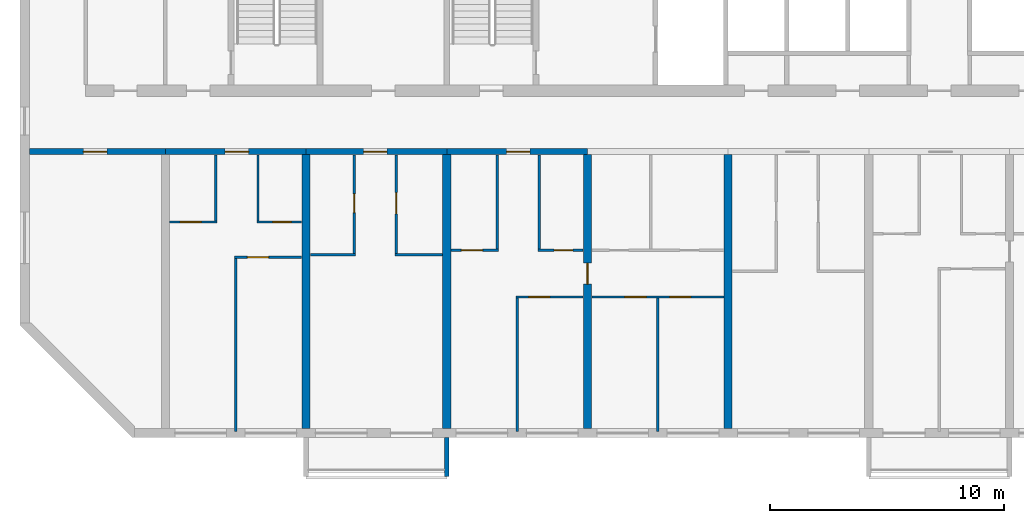
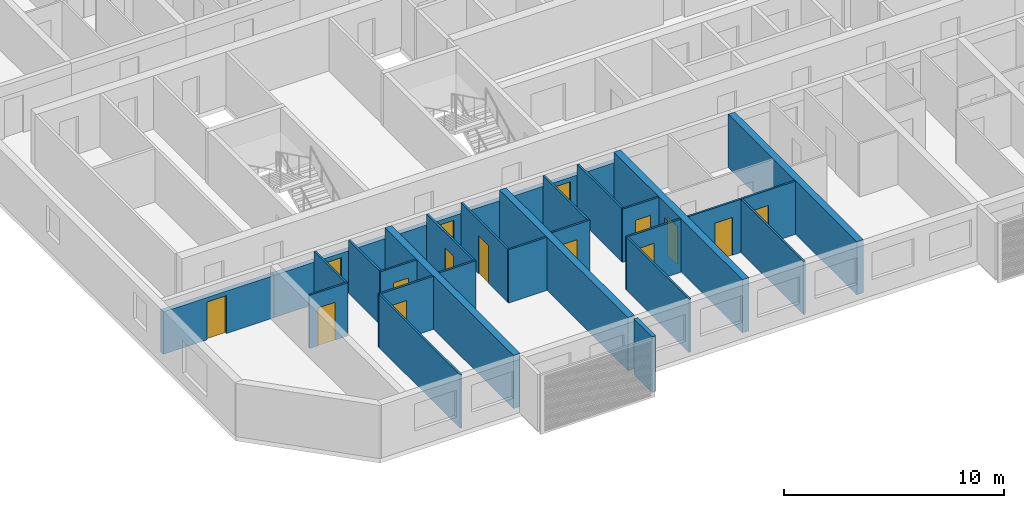
# One storey, part 2 of 24: 27 walls, 15 doors, 15 openings.
"""IFC4 building model written with IfcOpenShell, lengths in metres."""

from ifc_helpers import new_model, si_unit, direction, frame, frame_2d, origin, place, context, subcontext, project, spatial, polyline, rectangle, outline, extrude, source, transform, mapped, material, layer, layer_set, type_object, element, fill, save


model = new_model("IFC4")

# Units and contexts
model_context = context("Model", 3, precision=1e-05, world=origin(), true_north=direction((0.0, 1.0)))
body_context = subcontext(model_context, "Body", "Model", "MODEL_VIEW")
ifc_project = project(units=[si_unit("LENGTHUNIT", "METRE"), si_unit("AREAUNIT", "SQUARE_METRE"), si_unit("VOLUMEUNIT", "CUBIC_METRE"), si_unit("PLANEANGLEUNIT", "RADIAN"), si_unit("MASSUNIT", "GRAM", prefix="KILO")], contexts=[model_context])

# Site, building, storey
site_placement = place(None, origin())
site = spatial("IfcSite", under=ifc_project, at=site_placement, CompositionType="ELEMENT")
building_placement = place(site_placement, origin())
building = spatial("IfcBuilding", under=site, at=building_placement, Name="Poui Terraces", CompositionType="ELEMENT")
storey_placement = place(building_placement, frame((0.0, 0.0, 112.5)))
storey = spatial("IfcBuildingStorey", under=building, at=storey_placement, Name="L31", CompositionType="ELEMENT", Elevation=112.5)

# Wall, opening, door
ifc_material_1 = material(Name="Concrete 65 MPa", Category="concrete")
ifc_layer_1 = layer(ifc_material_1, 0.25)
ifc_layer_set_1 = layer_set([ifc_layer_1], Name="Concrete 65 MPa")
wall_type_1 = type_object("IfcWallType", Name="CORRIDOR WALL 250 65MPa", PredefinedType="SHEAR", material=ifc_layer_set_1)
wall_1_placement = place(storey_placement, frame((12.199951171875, 12.0, 0.0), z_axis=(0.0, 0.0, 1.0), x_axis=(1.0, 0.0, 0.0)))
wall_1 = element("IfcWall", 1, at=wall_1_placement, inside=storey, type_object=wall_type_1, Name="CORRIDOR WALL LINE B BAY 1", PredefinedType="SHEAR", context=body_context, shape_type="SweptSolid", body=[
    extrude(rectangle(XDim=5.800048828125, YDim=0.25, at=frame_2d((2.89990234375, 0.0))), origin(), (0.0, 0.0, 1.0), 2.35009765625),
])
opening_1_placement = place(wall_1_placement, frame((2.300048828125, 0.0, 0.0)))
opening_1 = element("IfcOpeningElement", 2, at=opening_1_placement, cuts=wall_1, Name="Opening D100", PredefinedType="OPENING", context=body_context, shape_type="SweptSolid", body=[
    extrude(rectangle(XDim=1.0, YDim=2.10009765625, at=frame_2d((0.5, 1.050048828125))), frame((0.0, 0.135009765625, 0.0), z_axis=(0.0, -1.0, 0.0), x_axis=(1.0, 0.0, 0.0)), (0.0, 0.0, 1.0), 0.27001953125),
])
ifc_material_2 = material(Name="Solid core timber door", Category="wood")
door_type_1 = type_object("IfcDoorType", Name="ACCESSIBLE INTERNAL DOOR 1000 X 2100", OperationType="NOTDEFINED", PredefinedType="DOOR", material=ifc_material_2)
door_1_placement = place(opening_1_placement, frame((1.0, 0.0, 0.0), z_axis=(0.0, 0.0, 1.0), x_axis=(-1.0, 0.0, 0.0)))
door_1 = element("IfcDoor", 3, at=door_1_placement, inside=storey, type_object=door_type_1, Name="ACCESSIBLE INTERNAL DOOR 075", OperationType="SINGLE_SWING_RIGHT", OverallHeight=2.10009765625, OverallWidth=1.0, PredefinedType="DOOR", context=body_context, shape_type="SweptSolid", body=[
    extrude(rectangle(XDim=1.0, YDim=2.10009765625, at=frame_2d((0.5, 1.050048828125))), frame((0.0, 0.02490234375, 0.0), z_axis=(0.0, -1.0, 0.0), x_axis=(1.0, 0.0, 0.0)), (0.0, 0.0, 1.0), 0.050048828125),
])
fill(opening_1, door_1)

wall_2_placement = place(storey_placement, frame((18.0, 12.0, 0.0), z_axis=(0.0, 0.0, 1.0), x_axis=(1.0, 0.0, 0.0)))
wall_2 = element("IfcWall", 4, at=wall_2_placement, inside=storey, type_object=wall_type_1, Name="CORRIDOR WALL LINE B BAY 2", PredefinedType="SHEAR", context=body_context, shape_type="SweptSolid", body=[
    extrude(rectangle(XDim=6.0, YDim=0.25, at=frame_2d((3.0, 0.0))), origin(), (0.0, 0.0, 1.0), 2.35009765625),
])
opening_2_placement = place(wall_2_placement, frame((2.550048828125, 0.0, 0.0)))
opening_2 = element("IfcOpeningElement", 5, at=opening_2_placement, cuts=wall_2, Name="Opening FD30S", PredefinedType="OPENING", context=body_context, shape_type="SweptSolid", body=[
    extrude(rectangle(XDim=1.0, YDim=2.10009765625, at=frame_2d((0.5, 1.050048828125))), frame((0.0, 0.135009765625, 0.0), z_axis=(0.0, -1.0, 0.0), x_axis=(1.0, 0.0, 0.0)), (0.0, 0.0, 1.0), 0.27001953125),
])
ifc_material_3 = material(Name="Steel fire door", Category="steel")
door_type_2 = type_object("IfcDoorType", Name="FLAT ENTRANCE DOOR 1000 X 2100", OperationType="NOTDEFINED", PredefinedType="DOOR", material=ifc_material_3)
door_2_placement = place(opening_2_placement, frame((1.0, 0.0, 0.0), z_axis=(0.0, 0.0, 1.0), x_axis=(-1.0, 0.0, 0.0)))
door_2 = element("IfcDoor", 6, at=door_2_placement, inside=storey, type_object=door_type_2, Name="FLAT ENTRANCE DOOR 077", OperationType="SINGLE_SWING_LEFT", OverallHeight=2.10009765625, OverallWidth=1.0, PredefinedType="DOOR", context=body_context, shape_type="SweptSolid", body=[
    extrude(rectangle(XDim=1.0, YDim=2.10009765625, at=frame_2d((0.5, 1.050048828125))), frame((0.0, 0.02490234375, 0.0), z_axis=(0.0, -1.0, 0.0), x_axis=(1.0, 0.0, 0.0)), (0.0, 0.0, 1.0), 0.050048828125),
])
fill(opening_2, door_2)

wall_3_placement = place(storey_placement, frame((24.0, 12.0, 0.0), z_axis=(0.0, 0.0, 1.0), x_axis=(1.0, 0.0, 0.0)))
wall_3 = element("IfcWall", 7, at=wall_3_placement, inside=storey, type_object=wall_type_1, Name="CORRIDOR WALL LINE B BAY 3", PredefinedType="SHEAR", context=body_context, shape_type="SweptSolid", body=[
    extrude(rectangle(XDim=6.0, YDim=0.25, at=frame_2d((3.0, 0.0))), origin(), (0.0, 0.0, 1.0), 2.35009765625),
])
opening_3_placement = place(wall_3_placement, frame((2.449951171875, 0.0, 0.0)))
opening_3 = element("IfcOpeningElement", 8, at=opening_3_placement, cuts=wall_3, Name="Opening FD30S", PredefinedType="OPENING", context=body_context, shape_type="SweptSolid", body=[
    extrude(rectangle(XDim=1.0, YDim=2.10009765625, at=frame_2d((0.5, 1.050048828125))), frame((0.0, 0.135009765625, 0.0), z_axis=(0.0, -1.0, 0.0), x_axis=(1.0, 0.0, 0.0)), (0.0, 0.0, 1.0), 0.27001953125),
])
door_3_placement = place(opening_3_placement, frame((1.0, 0.0, 0.0), z_axis=(0.0, 0.0, 1.0), x_axis=(-1.0, 0.0, 0.0)))
door_3 = element("IfcDoor", 9, at=door_3_placement, inside=storey, type_object=door_type_2, Name="FLAT ENTRANCE DOOR 081", OperationType="SINGLE_SWING_RIGHT", OverallHeight=2.10009765625, OverallWidth=1.0, PredefinedType="DOOR", context=body_context, shape_type="SweptSolid", body=[
    extrude(rectangle(XDim=1.0, YDim=2.10009765625, at=frame_2d((0.5, 1.050048828125))), frame((0.0, 0.02490234375, 0.0), z_axis=(0.0, -1.0, 0.0), x_axis=(1.0, 0.0, 0.0)), (0.0, 0.0, 1.0), 0.050048828125),
])
fill(opening_3, door_3)

wall_4_placement = place(storey_placement, frame((30.0, 12.0, 0.0), z_axis=(0.0, 0.0, 1.0), x_axis=(1.0, 0.0, 0.0)))
wall_4 = element("IfcWall", 10, at=wall_4_placement, inside=storey, type_object=wall_type_1, Name="CORRIDOR WALL LINE B BAY 4", PredefinedType="SHEAR", context=body_context, shape_type="SweptSolid", body=[
    extrude(rectangle(XDim=6.0, YDim=0.25, at=frame_2d((3.0, 0.0))), origin(), (0.0, 0.0, 1.0), 2.35009765625),
])
opening_4_placement = place(wall_4_placement, frame((2.550048828125, 0.0, 0.0)))
opening_4 = element("IfcOpeningElement", 11, at=opening_4_placement, cuts=wall_4, Name="Opening FD30S", PredefinedType="OPENING", context=body_context, shape_type="SweptSolid", body=[
    extrude(rectangle(XDim=1.0, YDim=2.10009765625, at=frame_2d((0.5, 1.050048828125))), frame((0.0, 0.135009765625, 0.0), z_axis=(0.0, -1.0, 0.0), x_axis=(1.0, 0.0, 0.0)), (0.0, 0.0, 1.0), 0.27001953125),
])
door_4_placement = place(opening_4_placement, frame((1.0, 0.0, 0.0), z_axis=(0.0, 0.0, 1.0), x_axis=(-1.0, 0.0, 0.0)))
door_4 = element("IfcDoor", 12, at=door_4_placement, inside=storey, type_object=door_type_2, Name="FLAT ENTRANCE DOOR 088", OperationType="SINGLE_SWING_LEFT", OverallHeight=2.10009765625, OverallWidth=1.0, PredefinedType="DOOR", context=body_context, shape_type="SweptSolid", body=[
    extrude(rectangle(XDim=1.0, YDim=2.10009765625, at=frame_2d((0.5, 1.050048828125))), frame((0.0, 0.02490234375, 0.0), z_axis=(0.0, -1.0, 0.0), x_axis=(1.0, 0.0, 0.0)), (0.0, 0.0, 1.0), 0.050048828125),
])
fill(opening_4, door_4)

# Walls
ifc_layer_2 = layer(ifc_material_1, 0.35009765625)
ifc_layer_set_2 = layer_set([ifc_layer_2], Name="Concrete 65 MPa")
wall_type_2 = type_object("IfcWallType", Name="CROSS WALL 350 65MPa", PredefinedType="SHEAR", material=ifc_layer_set_2)
for number, where, z_axis, x_axis, name in (
    (13, (24.0, 0.199951171875, 0.0), (0.0, 0.0, 1.0), (0.0, 1.0, 0.0), "CROSS WALL LINE 5 SOUTH"),
    (14, (30.0, 0.199951171875, 0.0), (0.0, 0.0, 1.0), (0.0, 1.0, 0.0), "CROSS WALL LINE 6 SOUTH"),
):
    element("IfcWall", number, at=place(storey_placement, frame(where, z_axis=z_axis, x_axis=x_axis)), inside=storey, type_object=wall_type_2, Name=name, PredefinedType="SHEAR", context=body_context, shape_type="SweptSolid", body=[
        extrude(rectangle(XDim=11.675048828125, YDim=0.35009765625, at=frame_2d((5.83740234375, 0.0))), origin(), (0.0, 0.0, 1.0), 2.949951171875),
    ])

# Wall, opening, door
wall_5_placement = place(storey_placement, frame((36.0, 0.199951171875, 0.0), z_axis=(0.0, 0.0, 1.0), x_axis=(0.0, 1.0, 0.0)))
wall_5 = element("IfcWall", 15, at=wall_5_placement, inside=storey, type_object=wall_type_2, Name="CROSS WALL LINE 7 SOUTH", PredefinedType="SHEAR", context=body_context, shape_type="SweptSolid", body=[
    extrude(rectangle(XDim=11.675048828125, YDim=0.35009765625, at=frame_2d((5.83740234375, 0.0))), origin(), (0.0, 0.0, 1.0), 2.949951171875),
])
opening_5_placement = place(wall_5_placement, frame((6.14990234375, 0.0, 0.0)))
opening_5 = element("IfcOpeningElement", 16, at=opening_5_placement, cuts=wall_5, Name="Opening D90", PredefinedType="OPENING", context=body_context, shape_type="SweptSolid", body=[
    extrude(rectangle(XDim=0.89990234375, YDim=2.10009765625, at=frame_2d((0.449951171875, 1.050048828125))), frame((0.0, 0.18505859375, 0.0), z_axis=(0.0, -1.0, 0.0), x_axis=(1.0, 0.0, 0.0)), (0.0, 0.0, 1.0), 0.3701171875),
])
door_type_3 = type_object("IfcDoorType", Name="INTERNAL DOOR 900 X 2100", OperationType="NOTDEFINED", PredefinedType="DOOR", material=ifc_material_2)
door_5_placement = place(opening_5_placement, origin())
door_5 = element("IfcDoor", 17, at=door_5_placement, inside=storey, type_object=door_type_3, Name="INTERNAL DOOR 091", OperationType="SINGLE_SWING_RIGHT", OverallHeight=2.10009765625, OverallWidth=0.89990234375, PredefinedType="DOOR", context=body_context, shape_type="SweptSolid", body=[
    extrude(rectangle(XDim=0.89990234375, YDim=2.10009765625, at=frame_2d((0.449951171875, 1.050048828125))), frame((0.0, 0.02490234375, 0.0), z_axis=(0.0, -1.0, 0.0), x_axis=(1.0, 0.0, 0.0)), (0.0, 0.0, 1.0), 0.050048828125),
])
fill(opening_5, door_5)

# Wall
wall_6_placement = place(storey_placement, frame((42.0, 0.199951171875, 0.0), z_axis=(0.0, 0.0, 1.0), x_axis=(0.0, 1.0, 0.0)))
element("IfcWall", 18, at=wall_6_placement, inside=storey, type_object=wall_type_2, Name="CROSS WALL LINE 8 SOUTH", PredefinedType="SHEAR", context=body_context, shape_type="SweptSolid", body=[
    extrude(rectangle(XDim=11.675048828125, YDim=0.35009765625, at=frame_2d((5.83740234375, 0.0))), origin(), (0.0, 0.0, 1.0), 2.949951171875),
])

# Wall, opening, door
ifc_material_4 = material(Name="Plasterboard partition")
ifc_layer_3 = layer(ifc_material_4, 0.10009765625)
ifc_layer_set_3 = layer_set([ifc_layer_3], Name="Plasterboard partition")
wall_type_3 = type_object("IfcWallType", Name="FLAT PARTITION 100", PredefinedType="PARTITIONING", material=ifc_layer_set_3)
wall_7_placement = place(storey_placement, frame((32.949951171875, 5.800048828125, 0.0), z_axis=(0.0, 0.0, 1.0), x_axis=(1.0, 0.0, 0.0)))
wall_7 = element("IfcWall", 19, at=wall_7_placement, inside=storey, type_object=wall_type_3, Name="FLAT PARTITION 100", PredefinedType="PARTITIONING", context=body_context, shape_type="SweptSolid", body=[
    extrude(rectangle(XDim=2.864990234375, YDim=0.10009765625, at=frame_2d((1.4326171875, 0.0))), origin(), (0.0, 0.0, 1.0), 2.949951171875),
])
opening_6_placement = place(wall_7_placement, frame((0.550048828125, 0.0, 0.0)))
opening_6 = element("IfcOpeningElement", 20, at=opening_6_placement, cuts=wall_7, Name="Opening D90", PredefinedType="OPENING", context=body_context, shape_type="SweptSolid", body=[
    extrude(rectangle(XDim=0.89990234375, YDim=2.10009765625, at=frame_2d((0.449951171875, 1.050048828125))), frame((0.0, 0.06005859375, 0.0), z_axis=(0.0, -1.0, 0.0), x_axis=(1.0, 0.0, 0.0)), (0.0, 0.0, 1.0), 0.1201171875),
])
door_6_placement = place(opening_6_placement, origin())
door_6 = element("IfcDoor", 21, at=door_6_placement, inside=storey, type_object=door_type_3, Name="INTERNAL DOOR 089", OperationType="SINGLE_SWING_RIGHT", OverallHeight=2.10009765625, OverallWidth=0.89990234375, PredefinedType="DOOR", context=body_context, shape_type="SweptSolid", body=[
    extrude(rectangle(XDim=0.89990234375, YDim=2.10009765625, at=frame_2d((0.449951171875, 1.050048828125))), frame((0.0, 0.02490234375, 0.0), z_axis=(0.0, -1.0, 0.0), x_axis=(1.0, 0.0, 0.0)), (0.0, 0.0, 1.0), 0.050048828125),
])
fill(opening_6, door_6)

# Wall, openings, doors
wall_8_placement = place(storey_placement, frame((36.18505859375, 5.800048828125, 0.0), z_axis=(0.0, 0.0, 1.0), x_axis=(1.0, 0.0, 0.0)))
wall_8 = element("IfcWall", 22, at=wall_8_placement, inside=storey, type_object=wall_type_3, Name="FLAT PARTITION 100", PredefinedType="PARTITIONING", context=body_context, shape_type="SweptSolid", body=[
    extrude(rectangle(XDim=5.6298828125, YDim=0.10009765625, at=frame_2d((2.81494140625, 0.0))), origin(), (0.0, 0.0, 1.0), 2.949951171875),
])
opening_7_placement = place(wall_8_placement, frame((1.4150390625, 0.0, 0.0)))
opening_7 = element("IfcOpeningElement", 23, at=opening_7_placement, cuts=wall_8, Name="Opening D90", PredefinedType="OPENING", context=body_context, shape_type="SweptSolid", body=[
    extrude(rectangle(XDim=0.89990234375, YDim=2.10009765625, at=frame_2d((0.449951171875, 1.050048828125))), frame((0.0, 0.06005859375, 0.0), z_axis=(0.0, -1.0, 0.0), x_axis=(1.0, 0.0, 0.0)), (0.0, 0.0, 1.0), 0.1201171875),
])
opening_8_placement = place(wall_8_placement, frame((3.31494140625, 0.0, 0.0)))
opening_8 = element("IfcOpeningElement", 24, at=opening_8_placement, cuts=wall_8, Name="Opening D90", PredefinedType="OPENING", context=body_context, shape_type="SweptSolid", body=[
    extrude(rectangle(XDim=0.89990234375, YDim=2.10009765625, at=frame_2d((0.449951171875, 1.050048828125))), frame((0.0, 0.06005859375, 0.0), z_axis=(0.0, -1.0, 0.0), x_axis=(1.0, 0.0, 0.0)), (0.0, 0.0, 1.0), 0.1201171875),
])
door_7_placement = place(opening_7_placement, frame((0.89990234375, 0.0, 0.0), z_axis=(0.0, 0.0, 1.0), x_axis=(-1.0, 0.0, 0.0)))
door_7 = element("IfcDoor", 25, at=door_7_placement, inside=storey, type_object=door_type_3, Name="INTERNAL DOOR 084", OperationType="SINGLE_SWING_LEFT", OverallHeight=2.10009765625, OverallWidth=0.89990234375, PredefinedType="DOOR", context=body_context, shape_type="SweptSolid", body=[
    extrude(rectangle(XDim=0.89990234375, YDim=2.10009765625, at=frame_2d((0.449951171875, 1.050048828125))), frame((0.0, 0.02490234375, 0.0), z_axis=(0.0, -1.0, 0.0), x_axis=(1.0, 0.0, 0.0)), (0.0, 0.0, 1.0), 0.050048828125),
])
fill(opening_7, door_7)
door_8_placement = place(opening_8_placement, frame((0.89990234375, 0.0, 0.0), z_axis=(0.0, 0.0, 1.0), x_axis=(-1.0, 0.0, 0.0)))
door_8 = element("IfcDoor", 26, at=door_8_placement, inside=storey, type_object=door_type_3, Name="INTERNAL DOOR 085", OperationType="SINGLE_SWING_RIGHT", OverallHeight=2.10009765625, OverallWidth=0.89990234375, PredefinedType="DOOR", context=body_context, shape_type="SweptSolid", body=[
    extrude(rectangle(XDim=0.89990234375, YDim=2.10009765625, at=frame_2d((0.449951171875, 1.050048828125))), frame((0.0, 0.02490234375, 0.0), z_axis=(0.0, -1.0, 0.0), x_axis=(1.0, 0.0, 0.0)), (0.0, 0.0, 1.0), 0.050048828125),
])
fill(opening_8, door_8)

# Wall, opening, door
wall_9_placement = place(storey_placement, frame((20.949951171875, 7.5, 0.0), z_axis=(0.0, 0.0, 1.0), x_axis=(1.0, 0.0, 0.0)))
wall_9 = element("IfcWall", 27, at=wall_9_placement, inside=storey, type_object=wall_type_3, Name="FLAT PARTITION 100", PredefinedType="PARTITIONING", context=body_context, shape_type="SweptSolid", body=[
    extrude(rectangle(XDim=2.864990234375, YDim=0.10009765625, at=frame_2d((1.4326171875, 0.0))), origin(), (0.0, 0.0, 1.0), 2.949951171875),
])
opening_9_placement = place(wall_9_placement, frame((0.550048828125, 0.0, 0.0)))
opening_9 = element("IfcOpeningElement", 28, at=opening_9_placement, cuts=wall_9, Name="Opening D90", PredefinedType="OPENING", context=body_context, shape_type="SweptSolid", body=[
    extrude(rectangle(XDim=0.89990234375, YDim=2.10009765625, at=frame_2d((0.449951171875, 1.050048828125))), frame((0.0, 0.06005859375, 0.0), z_axis=(0.0, -1.0, 0.0), x_axis=(1.0, 0.0, 0.0)), (0.0, 0.0, 1.0), 0.1201171875),
])
door_9_placement = place(opening_9_placement, origin())
door_9 = element("IfcDoor", 29, at=door_9_placement, inside=storey, type_object=door_type_3, Name="INTERNAL DOOR 078", OperationType="SINGLE_SWING_RIGHT", OverallHeight=2.10009765625, OverallWidth=0.89990234375, PredefinedType="DOOR", context=body_context, shape_type="SweptSolid", body=[
    extrude(rectangle(XDim=0.89990234375, YDim=2.10009765625, at=frame_2d((0.449951171875, 1.050048828125))), frame((0.0, 0.02490234375, 0.0), z_axis=(0.0, -1.0, 0.0), x_axis=(1.0, 0.0, 0.0)), (0.0, 0.0, 1.0), 0.050048828125),
])
fill(opening_9, door_9)

# Walls
wall_10_placement = place(storey_placement, frame((24.18505859375, 7.60009765625, 0.0), z_axis=(0.0, 0.0, 1.0), x_axis=(1.0, 0.0, 0.0)))
element("IfcWall", 30, at=wall_10_placement, inside=storey, type_object=wall_type_3, Name="FLAT PARTITION 100", PredefinedType="PARTITIONING", context=body_context, shape_type="SweptSolid", body=[
    extrude(rectangle(XDim=1.9150390625, YDim=0.10009765625, at=frame_2d((0.95751953125, 0.0))), origin(), (0.0, 0.0, 1.0), 2.949951171875),
])
wall_11_placement = place(storey_placement, frame((27.800048828125, 7.60009765625, 0.0), z_axis=(0.0, 0.0, 1.0), x_axis=(1.0, 0.0, 0.0)))
element("IfcWall", 31, at=wall_11_placement, inside=storey, type_object=wall_type_3, Name="FLAT PARTITION 100", PredefinedType="PARTITIONING", context=body_context, shape_type="SweptSolid", body=[
    extrude(rectangle(XDim=2.014892578125, YDim=0.10009765625, at=frame_2d((1.00732421875, 0.0))), origin(), (0.0, 0.0, 1.0), 2.949951171875),
])

# Wall, opening, door
wall_12_placement = place(storey_placement, frame((30.18505859375, 7.800048828125, 0.0), z_axis=(0.0, 0.0, 1.0), x_axis=(1.0, 0.0, 0.0)))
wall_12 = element("IfcWall", 32, at=wall_12_placement, inside=storey, type_object=wall_type_3, Name="FLAT PARTITION 100", PredefinedType="PARTITIONING", context=body_context, shape_type="SweptSolid", body=[
    extrude(rectangle(XDim=2.014892578125, YDim=0.10009765625, at=frame_2d((1.00732421875, 0.0))), origin(), (0.0, 0.0, 1.0), 2.949951171875),
])
opening_10_placement = place(wall_12_placement, frame((0.43994140625, 0.0, 0.0)))
opening_10 = element("IfcOpeningElement", 33, at=opening_10_placement, cuts=wall_12, Name="Opening D90", PredefinedType="OPENING", context=body_context, shape_type="SweptSolid", body=[
    extrude(rectangle(XDim=0.89990234375, YDim=2.10009765625, at=frame_2d((0.449951171875, 1.050048828125))), frame((0.0, 0.06005859375, 0.0), z_axis=(0.0, -1.0, 0.0), x_axis=(1.0, 0.0, 0.0)), (0.0, 0.0, 1.0), 0.1201171875),
])
door_10_placement = place(opening_10_placement, origin())
door_10 = element("IfcDoor", 34, at=door_10_placement, inside=storey, type_object=door_type_3, Name="INTERNAL DOOR 087", OperationType="SINGLE_SWING_RIGHT", OverallHeight=2.10009765625, OverallWidth=0.89990234375, PredefinedType="DOOR", context=body_context, shape_type="SweptSolid", body=[
    extrude(rectangle(XDim=0.89990234375, YDim=2.10009765625, at=frame_2d((0.449951171875, 1.050048828125))), frame((0.0, 0.02490234375, 0.0), z_axis=(0.0, -1.0, 0.0), x_axis=(1.0, 0.0, 0.0)), (0.0, 0.0, 1.0), 0.050048828125),
])
fill(opening_10, door_10)

wall_13_placement = place(storey_placement, frame((33.89990234375, 7.800048828125, 0.0), z_axis=(0.0, 0.0, 1.0), x_axis=(1.0, 0.0, 0.0)))
wall_13 = element("IfcWall", 35, at=wall_13_placement, inside=storey, type_object=wall_type_3, Name="FLAT PARTITION 100", PredefinedType="PARTITIONING", context=body_context, shape_type="SweptSolid", body=[
    extrude(rectangle(XDim=1.9150390625, YDim=0.10009765625, at=frame_2d((0.95751953125, 0.0))), origin(), (0.0, 0.0, 1.0), 2.949951171875),
])
opening_11_placement = place(wall_13_placement, frame((0.675048828125, 0.0, 0.0)))
opening_11 = element("IfcOpeningElement", 36, at=opening_11_placement, cuts=wall_13, Name="Opening D80", PredefinedType="OPENING", context=body_context, shape_type="SweptSolid", body=[
    extrude(rectangle(XDim=0.800048828125, YDim=2.10009765625, at=frame_2d((0.39990234375, 1.050048828125))), frame((0.0, 0.06005859375, 0.0), z_axis=(0.0, -1.0, 0.0), x_axis=(1.0, 0.0, 0.0)), (0.0, 0.0, 1.0), 0.1201171875),
])
door_type_4 = type_object("IfcDoorType", Name="BATHROOM, LAUNDRY AND STORE DOOR 800 X 2100", OperationType="NOTDEFINED", PredefinedType="DOOR", material=ifc_material_2)
door_11_placement = place(opening_11_placement, origin())
door_11 = element("IfcDoor", 37, at=door_11_placement, inside=storey, type_object=door_type_4, Name="BATHROOM, LAUNDRY AND STORE DOOR 090", OperationType="SINGLE_SWING_LEFT", OverallHeight=2.10009765625, OverallWidth=0.800048828125, PredefinedType="DOOR", context=body_context, shape_type="SweptSolid", body=[
    extrude(rectangle(XDim=0.800048828125, YDim=2.10009765625, at=frame_2d((0.39990234375, 1.050048828125))), frame((0.0, 0.02490234375, 0.0), z_axis=(0.0, -1.0, 0.0), x_axis=(1.0, 0.0, 0.0)), (0.0, 0.0, 1.0), 0.050048828125),
])
fill(opening_11, door_11)

wall_14_placement = place(storey_placement, frame((18.18505859375, 9.0, 0.0), z_axis=(0.0, 0.0, 1.0), x_axis=(1.0, 0.0, 0.0)))
wall_14 = element("IfcWall", 38, at=wall_14_placement, inside=storey, type_object=wall_type_3, Name="FLAT PARTITION 100", PredefinedType="PARTITIONING", context=body_context, shape_type="SweptSolid", body=[
    extrude(rectangle(XDim=2.014892578125, YDim=0.10009765625, at=frame_2d((1.00732421875, 0.0))), origin(), (0.0, 0.0, 1.0), 2.949951171875),
])
opening_12_placement = place(wall_14_placement, frame((0.43994140625, 0.0, 0.0)))
opening_12 = element("IfcOpeningElement", 39, at=opening_12_placement, cuts=wall_14, Name="Opening D90", PredefinedType="OPENING", context=body_context, shape_type="SweptSolid", body=[
    extrude(rectangle(XDim=0.89990234375, YDim=2.10009765625, at=frame_2d((0.449951171875, 1.050048828125))), frame((0.0, 0.06005859375, 0.0), z_axis=(0.0, -1.0, 0.0), x_axis=(1.0, 0.0, 0.0)), (0.0, 0.0, 1.0), 0.1201171875),
])
door_12_placement = place(opening_12_placement, origin())
door_12 = element("IfcDoor", 40, at=door_12_placement, inside=storey, type_object=door_type_3, Name="INTERNAL DOOR 076", OperationType="SINGLE_SWING_RIGHT", OverallHeight=2.10009765625, OverallWidth=0.89990234375, PredefinedType="DOOR", context=body_context, shape_type="SweptSolid", body=[
    extrude(rectangle(XDim=0.89990234375, YDim=2.10009765625, at=frame_2d((0.449951171875, 1.050048828125))), frame((0.0, 0.02490234375, 0.0), z_axis=(0.0, -1.0, 0.0), x_axis=(1.0, 0.0, 0.0)), (0.0, 0.0, 1.0), 0.050048828125),
])
fill(opening_12, door_12)

wall_15_placement = place(storey_placement, frame((21.89990234375, 9.0, 0.0), z_axis=(0.0, 0.0, 1.0), x_axis=(1.0, 0.0, 0.0)))
wall_15 = element("IfcWall", 41, at=wall_15_placement, inside=storey, type_object=wall_type_3, Name="FLAT PARTITION 100", PredefinedType="PARTITIONING", context=body_context, shape_type="SweptSolid", body=[
    extrude(rectangle(XDim=1.9150390625, YDim=0.10009765625, at=frame_2d((0.95751953125, 0.0))), origin(), (0.0, 0.0, 1.0), 2.949951171875),
])
opening_13_placement = place(wall_15_placement, frame((0.675048828125, 0.0, 0.0)))
opening_13 = element("IfcOpeningElement", 42, at=opening_13_placement, cuts=wall_15, Name="Opening D80", PredefinedType="OPENING", context=body_context, shape_type="SweptSolid", body=[
    extrude(rectangle(XDim=0.800048828125, YDim=2.10009765625, at=frame_2d((0.39990234375, 1.050048828125))), frame((0.0, 0.06005859375, 0.0), z_axis=(0.0, -1.0, 0.0), x_axis=(1.0, 0.0, 0.0)), (0.0, 0.0, 1.0), 0.1201171875),
])
door_13_placement = place(opening_13_placement, origin())
door_13 = element("IfcDoor", 43, at=door_13_placement, inside=storey, type_object=door_type_4, Name="BATHROOM, LAUNDRY AND STORE DOOR 079", OperationType="SINGLE_SWING_LEFT", OverallHeight=2.10009765625, OverallWidth=0.800048828125, PredefinedType="DOOR", context=body_context, shape_type="SweptSolid", body=[
    extrude(rectangle(XDim=0.800048828125, YDim=2.10009765625, at=frame_2d((0.39990234375, 1.050048828125))), frame((0.0, 0.02490234375, 0.0), z_axis=(0.0, -1.0, 0.0), x_axis=(1.0, 0.0, 0.0)), (0.0, 0.0, 1.0), 0.050048828125),
])
fill(opening_13, door_13)

# Walls
wall_16_placement = place(storey_placement, frame((20.14990234375, 9.050048828125, 0.0), z_axis=(0.0, 0.0, 1.0), x_axis=(0.0, 1.0, 0.0)))
element("IfcWall", 44, at=wall_16_placement, inside=storey, type_object=wall_type_3, Name="FLAT PARTITION 100", PredefinedType="PARTITIONING", context=body_context, shape_type="SweptSolid", body=[
    extrude(rectangle(XDim=2.81494140625, YDim=0.10009765625, at=frame_2d((1.407470703125, 0.0))), origin(), (0.0, 0.0, 1.0), 2.949951171875),
])
wall_17_placement = place(storey_placement, frame((21.0, 0.06005859375, 0.0), z_axis=(0.0, 0.0, 1.0), x_axis=(0.0, 1.0, 0.0)))
element("IfcWall", 45, at=wall_17_placement, inside=storey, type_object=wall_type_3, Name="FLAT PARTITION 100", PredefinedType="PARTITIONING", context=body_context, shape_type="SweptSolid", body=[
    extrude(rectangle(XDim=7.389892578125, YDim=0.10009765625, at=frame_2d((3.69482421875, 0.0))), origin(), (0.0, 0.0, 1.0), 2.949951171875),
])
wall_18_placement = place(storey_placement, frame((21.949951171875, 9.050048828125, 0.0), z_axis=(0.0, 0.0, 1.0), x_axis=(0.0, 1.0, 0.0)))
element("IfcWall", 46, at=wall_18_placement, inside=storey, type_object=wall_type_3, Name="FLAT PARTITION 100", PredefinedType="PARTITIONING", context=body_context, shape_type="SweptSolid", body=[
    extrude(rectangle(XDim=2.81494140625, YDim=0.10009765625, at=frame_2d((1.407470703125, 0.0))), origin(), (0.0, 0.0, 1.0), 2.949951171875),
])

# Wall, opening, door
wall_19_placement = place(storey_placement, frame((26.050048828125, 7.64990234375, 0.0), z_axis=(0.0, 0.0, 1.0), x_axis=(0.0, 1.0, 0.0)))
wall_19 = element("IfcWall", 47, at=wall_19_placement, inside=storey, type_object=wall_type_3, Name="FLAT PARTITION 100", PredefinedType="PARTITIONING", context=body_context, shape_type="SweptSolid", body=[
    extrude(rectangle(XDim=4.215087890625, YDim=0.10009765625, at=frame_2d((2.107421875, 0.0))), origin(), (0.0, 0.0, 1.0), 2.949951171875),
])
opening_14_placement = place(wall_19_placement, frame((1.75, 0.0, 0.0)))
opening_14 = element("IfcOpeningElement", 48, at=opening_14_placement, cuts=wall_19, Name="Opening D80", PredefinedType="OPENING", context=body_context, shape_type="SweptSolid", body=[
    extrude(rectangle(XDim=0.800048828125, YDim=2.10009765625, at=frame_2d((0.39990234375, 1.050048828125))), frame((0.0, 0.06005859375, 0.0), z_axis=(0.0, -1.0, 0.0), x_axis=(1.0, 0.0, 0.0)), (0.0, 0.0, 1.0), 0.1201171875),
])
door_14_placement = place(opening_14_placement, origin())
door_14 = element("IfcDoor", 49, at=door_14_placement, inside=storey, type_object=door_type_4, Name="BATHROOM, LAUNDRY AND STORE DOOR 080", OperationType="SINGLE_SWING_RIGHT", OverallHeight=2.10009765625, OverallWidth=0.800048828125, PredefinedType="DOOR", context=body_context, shape_type="SweptSolid", body=[
    extrude(rectangle(XDim=0.800048828125, YDim=2.10009765625, at=frame_2d((0.39990234375, 1.050048828125))), frame((0.0, 0.02490234375, 0.0), z_axis=(0.0, -1.0, 0.0), x_axis=(1.0, 0.0, 0.0)), (0.0, 0.0, 1.0), 0.050048828125),
])
fill(opening_14, door_14)

wall_20_placement = place(storey_placement, frame((27.85009765625, 7.64990234375, 0.0), z_axis=(0.0, 0.0, 1.0), x_axis=(0.0, 1.0, 0.0)))
wall_20 = element("IfcWall", 50, at=wall_20_placement, inside=storey, type_object=wall_type_3, Name="FLAT PARTITION 100", PredefinedType="PARTITIONING", context=body_context, shape_type="SweptSolid", body=[
    extrude(rectangle(XDim=4.215087890625, YDim=0.10009765625, at=frame_2d((2.107421875, 0.0))), origin(), (0.0, 0.0, 1.0), 2.949951171875),
])
opening_15_placement = place(wall_20_placement, frame((1.699951171875, 0.0, 0.0)))
opening_15 = element("IfcOpeningElement", 51, at=opening_15_placement, cuts=wall_20, Name="Opening D90", PredefinedType="OPENING", context=body_context, shape_type="SweptSolid", body=[
    extrude(rectangle(XDim=0.89990234375, YDim=2.10009765625, at=frame_2d((0.449951171875, 1.050048828125))), frame((0.0, 0.06005859375, 0.0), z_axis=(0.0, -1.0, 0.0), x_axis=(1.0, 0.0, 0.0)), (0.0, 0.0, 1.0), 0.1201171875),
])
door_15_placement = place(opening_15_placement, frame((0.89990234375, 0.0, 0.0), z_axis=(0.0, 0.0, 1.0), x_axis=(-1.0, 0.0, 0.0)))
door_15 = element("IfcDoor", 52, at=door_15_placement, inside=storey, type_object=door_type_3, Name="INTERNAL DOOR 082", OperationType="SINGLE_SWING_RIGHT", OverallHeight=2.10009765625, OverallWidth=0.89990234375, PredefinedType="DOOR", context=body_context, shape_type="SweptSolid", body=[
    extrude(rectangle(XDim=0.89990234375, YDim=2.10009765625, at=frame_2d((0.449951171875, 1.050048828125))), frame((0.0, 0.02490234375, 0.0), z_axis=(0.0, -1.0, 0.0), x_axis=(1.0, 0.0, 0.0)), (0.0, 0.0, 1.0), 0.050048828125),
])
fill(opening_15, door_15)

# Walls
wall_21_placement = place(storey_placement, frame((32.14990234375, 7.85009765625, 0.0), z_axis=(0.0, 0.0, 1.0), x_axis=(0.0, 1.0, 0.0)))
element("IfcWall", 53, at=wall_21_placement, inside=storey, type_object=wall_type_3, Name="FLAT PARTITION 100", PredefinedType="PARTITIONING", context=body_context, shape_type="SweptSolid", body=[
    extrude(rectangle(XDim=4.014892578125, YDim=0.10009765625, at=frame_2d((2.00732421875, 0.0))), origin(), (0.0, 0.0, 1.0), 2.949951171875),
])
wall_22_placement = place(storey_placement, frame((33.0, 0.06005859375, 0.0), z_axis=(0.0, 0.0, 1.0), x_axis=(0.0, 1.0, 0.0)))
element("IfcWall", 54, at=wall_22_placement, inside=storey, type_object=wall_type_3, Name="FLAT PARTITION 100", PredefinedType="PARTITIONING", context=body_context, shape_type="SweptSolid", body=[
    extrude(rectangle(XDim=5.68994140625, YDim=0.10009765625, at=frame_2d((2.844970703125, 0.0))), origin(), (0.0, 0.0, 1.0), 2.949951171875),
])
wall_23_placement = place(storey_placement, frame((33.949951171875, 7.85009765625, 0.0), z_axis=(0.0, 0.0, 1.0), x_axis=(0.0, 1.0, 0.0)))
element("IfcWall", 55, at=wall_23_placement, inside=storey, type_object=wall_type_3, Name="FLAT PARTITION 100", PredefinedType="PARTITIONING", context=body_context, shape_type="SweptSolid", body=[
    extrude(rectangle(XDim=4.014892578125, YDim=0.10009765625, at=frame_2d((2.00732421875, 0.0))), origin(), (0.0, 0.0, 1.0), 2.949951171875),
])
wall_24_placement = place(storey_placement, frame((39.0, 0.06005859375, 0.0), z_axis=(0.0, 0.0, 1.0), x_axis=(0.0, 1.0, 0.0)))
element("IfcWall", 56, at=wall_24_placement, inside=storey, type_object=wall_type_3, Name="FLAT PARTITION 100", PredefinedType="PARTITIONING", context=body_context, shape_type="SweptSolid", body=[
    extrude(rectangle(XDim=5.68994140625, YDim=0.10009765625, at=frame_2d((2.844970703125, 0.0))), origin(), (0.0, 0.0, 1.0), 2.949951171875),
])
ifc_material_5 = material(Name="Precast concrete 40 MPa", Category="concrete")
ifc_layer_4 = layer(ifc_material_5, 0.199951171875)
ifc_layer_set_4 = layer_set([ifc_layer_4], Name="Precast concrete 40 MPa")
wall_type_4 = type_object("IfcWallType", Name="REAR FIN 200", PredefinedType="STANDARD", material=ifc_layer_set_4)
shared_shape = source(origin(), body_context, "Body", "SweptSolid", [
    extrude(outline(polyline([(0.0, 0.0), (0.2001953125, 0.0), (0.2001953125, 1.650146484375), (0.0, 1.650146484375), (0.0, 0.0)])), origin(), (0.0, 0.0, 1.0), 3.10009765625),
])
wall_25_placement = place(storey_placement, frame((29.89990234375, -1.85009765625, 0.0)))
element("IfcWall", 57, at=wall_25_placement, inside=storey, type_object=wall_type_4, Name="REAR FIN", PredefinedType="STANDARD", context=body_context, shape_type="MappedRepresentation", body=[
    mapped(shared_shape, transform((0.0, 0.0, 0.0))),
])

save(model, "model.ifc")
